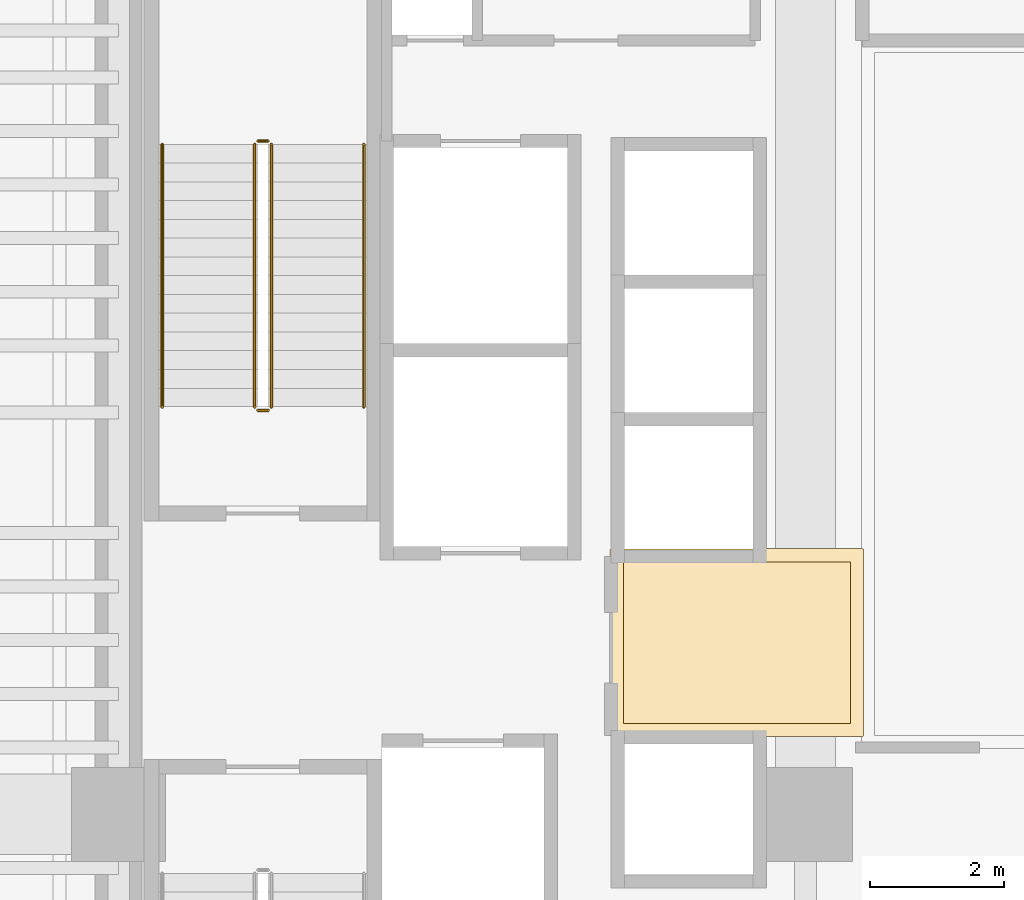
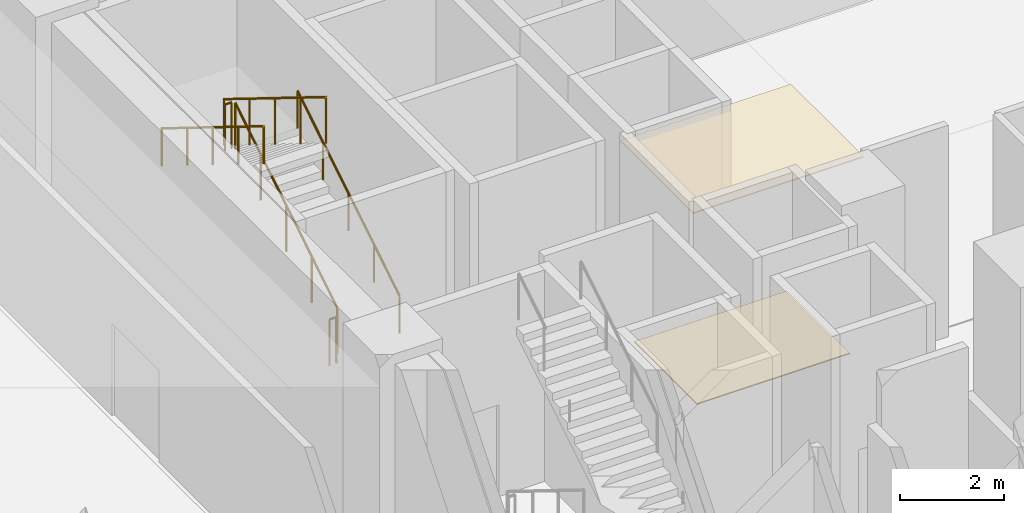
# One storey, part 35 of 41: 6 railings, 2 coverings.
"""IFC4 building model written with IfcOpenShell, lengths in metres."""

import ifcopenshell
import ifcopenshell.guid

model = None  # the IFC model being written
_history = None  # IfcOwnerHistory: only IFC2X3 demands one
_inside = {}  # id of a spatial element -> (the spatial element, [elements in it])
_under = {}  # id of a project, library or spatial element -> (it, [spatial elements below it])
_declared = {}  # id of a project -> (the project, [libraries it declares])
_typed = {}  # id of a type object -> (the type object, [elements of that type])
_made_of = {}  # id of a material, layer set ... -> (it, [elements and type objects made of it])


def new_model(schema):
    """Start an empty IFC model of exactly this schema.

    Asked for "IFC4X3", IfcOpenShell would pick the latest addendum, in which some entities
    have other attributes; the version numbers below select the first issue.
    IFC2X3 requires an IfcOwnerHistory on every rooted entity: one is made here for all.
    """
    global model, _history
    if schema == "IFC4X3":
        model = ifcopenshell.file(schema_version=(4, 3, 0, 0))
    else:
        model = ifcopenshell.file(schema=schema)
    _inside.clear()
    _under.clear()
    _declared.clear()
    _typed.clear()
    _made_of.clear()
    _history = None
    if model.schema == "IFC2X3":
        org = make("IfcOrganization", Name="unknown")
        user = make(
            "IfcPersonAndOrganization",
            ThePerson=make("IfcPerson", FamilyName="unknown"),
            TheOrganization=org,
        )
        app = make(
            "IfcApplication",
            ApplicationDeveloper=org,
            Version="unknown",
            ApplicationFullName="unknown",
            ApplicationIdentifier="unknown",
        )
        _history = make(
            "IfcOwnerHistory",
            OwningUser=user,
            OwningApplication=app,
            ChangeAction="ADDED",
            CreationDate=0,
        )
    return model


def make(cls, **values):
    """One entity of the class cls with the attributes given. An attribute that is None is left unset."""
    return model.create_entity(
        cls, **{name: value for name, value in values.items() if value is not None}
    )


def rooted(cls, **values):
    """An entity with a GlobalId (a new one), such as an element, a storey or a relation."""
    return make(cls, GlobalId=ifcopenshell.guid.new(), OwnerHistory=_history, **values)


def si_unit(unit_type, name, prefix=None):
    """IfcSIUnit, for example si_unit("LENGTHUNIT", "METRE", prefix="MILLI")."""
    return make("IfcSIUnit", UnitType=unit_type, Prefix=prefix, Name=name)


def assignment(units):
    """IfcUnitAssignment: the units of a project."""
    return None if units is None else make("IfcUnitAssignment", Units=units)


def point(xyz):
    """IfcCartesianPoint."""
    return None if xyz is None else make("IfcCartesianPoint", Coordinates=xyz)


def direction(xyz):
    """IfcDirection."""
    return None if xyz is None else make("IfcDirection", DirectionRatios=xyz)


def frame(location, z_axis=None, x_axis=None):
    """IfcAxis2Placement3D, a coordinate frame: its origin and axes. An axis left out is left unset."""
    return make(
        "IfcAxis2Placement3D",
        Location=point(location),
        Axis=direction(z_axis),
        RefDirection=direction(x_axis),
    )


def frame_2d(location, x_axis=None):
    """IfcAxis2Placement2D, a coordinate frame in the plane: its origin and x axis."""
    return make(
        "IfcAxis2Placement2D", Location=point(location), RefDirection=direction(x_axis)
    )


def origin():
    """The frame at (0, 0, 0) with its axes left unset."""
    return frame((0.0, 0.0, 0.0))


def origin_2d():
    """The frame at (0, 0) in the plane with its x axis left unset."""
    return frame_2d((0.0, 0.0))


def place(relative_to, where):
    """IfcLocalPlacement: puts the frame where relative to a parent placement (None: the world)."""
    return make(
        "IfcLocalPlacement", PlacementRelTo=relative_to, RelativePlacement=where
    )


def context(
    kind, dimensions, precision=None, world=None, true_north=None, identifier=None
):
    """IfcGeometricRepresentationContext, for example the 3D "Model" context."""
    return make(
        "IfcGeometricRepresentationContext",
        ContextIdentifier=identifier,
        ContextType=kind,
        CoordinateSpaceDimension=dimensions,
        Precision=precision,
        WorldCoordinateSystem=world,
        TrueNorth=true_north,
    )


def subcontext(parent, identifier, kind, view, scale=None):
    """IfcGeometricRepresentationSubContext, for example "Body" below "Model"."""
    return make(
        "IfcGeometricRepresentationSubContext",
        ContextIdentifier=identifier,
        ContextType=kind,
        ParentContext=parent,
        TargetScale=scale,
        TargetView=view,
    )


def project(units=None, contexts=None):
    """IfcProject with its units and contexts."""
    return rooted(
        "IfcProject",
        Name="project",
        RepresentationContexts=contexts,
        UnitsInContext=assignment(units),
    )


def spatial(cls, under=None, at=None, **own):
    """A site, building, storey or space (cls), placed at a placement, below another one or the project."""
    s = rooted(cls, ObjectPlacement=at, **own)
    if under is not None:
        _under.setdefault(under.id(), (under, []))[1].append(s)
    return s


def polyline(points):
    """IfcPolyline through the points."""
    return make("IfcPolyline", Points=[point(p) for p in points])


def profile(cls, at=None, kind="AREA", **sizes):
    """A parametric profile (cls). Its sizes go by their IFC names, for example OverallWidth=200.0."""
    return make(cls, ProfileType=kind, Position=at, **sizes)


def circle(**sizes):
    """IfcCircleProfileDef."""
    return profile("IfcCircleProfileDef", **sizes)


def outline(outer, holes=None, kind="AREA"):
    """IfcArbitraryClosedProfileDef: a profile drawn as a closed curve; with holes, ...WithVoids."""
    if holes is None:
        return make("IfcArbitraryClosedProfileDef", ProfileType=kind, OuterCurve=outer)
    return make(
        "IfcArbitraryProfileDefWithVoids",
        ProfileType=kind,
        OuterCurve=outer,
        InnerCurves=holes,
    )


def extrude(swept, where, along, depth):
    """IfcExtrudedAreaSolid: the profile swept, set in the frame where, extruded along a direction by depth."""
    return make(
        "IfcExtrudedAreaSolid",
        SweptArea=swept,
        Position=where,
        ExtrudedDirection=direction(along),
        Depth=depth,
    )


def shape(context_of_items, identifier, shape_type, items):
    """IfcShapeRepresentation: the items that make up one representation, for example the "Body"."""
    return make(
        "IfcShapeRepresentation",
        ContextOfItems=context_of_items,
        RepresentationIdentifier=identifier,
        RepresentationType=shape_type,
        Items=items,
    )


def material(Name=None, Category=None):
    """IfcMaterial."""
    return make("IfcMaterial", Name=Name, Category=Category)


def layer(
    of_material, thickness, ventilated=None, Name=None, Category=None, Priority=None
):
    """IfcMaterialLayer: one layer of a wall or slab, of a material (None: an air gap)."""
    return make(
        "IfcMaterialLayer",
        Material=of_material,
        LayerThickness=thickness,
        IsVentilated=ventilated,
        Name=Name,
        Category=Category,
        Priority=Priority,
    )


def layer_set(layers, Name=None):
    """IfcMaterialLayerSet."""
    return make("IfcMaterialLayerSet", MaterialLayers=layers, LayerSetName=Name)


def made_of(thing, what):
    """Note that an element or type object is made of a material, layer set ...; save() writes the relation."""
    if what is not None:
        _made_of.setdefault(what.id(), (what, []))[1].append(thing)
    return thing


def type_object(cls, material=None, **own):
    """A type object (cls), such as IfcWallType, which elements share."""
    return made_of(rooted(cls, **own), material)


def element(
    cls,
    number,
    at=None,
    inside=None,
    cuts=None,
    type_object=None,
    material=None,
    context=None,
    identifier="Body",
    shape_type=None,
    held_by="IfcProductDefinitionShape",
    body=None,
    shapes=None,
    **own,
):
    """One element of the class cls, such as IfcWall. Its Tag is "e" and its number.

    at: its placement. inside: the storey or other place that contains it. cuts: it is an
    opening in that element (IfcRelVoidsElement). A single representation is given by context,
    identifier, shape_type and body (its items); several are given by shapes. held_by: the class
    of the entity that holds the representations. save() writes the other relations.
    """
    e = rooted(cls, Tag="e%d" % number, ObjectPlacement=at, **own)
    if body is not None:
        shapes = [shape(context, identifier, shape_type, body)]
    if shapes is not None:
        e.Representation = make(held_by, Representations=shapes)
    if inside is not None:
        _inside.setdefault(inside.id(), (inside, []))[1].append(e)
    if cuts is not None:
        rooted(
            "IfcRelVoidsElement", RelatingBuildingElement=cuts, RelatedOpeningElement=e
        )
    if type_object is not None:
        _typed.setdefault(type_object.id(), (type_object, []))[1].append(e)
    return made_of(e, material)


def aggregate(whole, parts):
    """IfcRelAggregates: a whole, such as a stair, and the parts it consists of."""
    return rooted("IfcRelAggregates", RelatingObject=whole, RelatedObjects=parts)


def save(model, path):
    """Write the relations noted so far, then the file.

    IfcRelAggregates (storeys below a building ...), IfcRelContainedInSpatialStructure (elements
    in a storey), IfcRelDefinesByType, IfcRelAssociatesMaterial and IfcRelDeclares: one each for
    every whole, place, type object, material and project.
    """
    for whole, parts in _under.values():
        aggregate(whole, parts)
    for where, things in _inside.values():
        rooted(
            "IfcRelContainedInSpatialStructure",
            RelatedElements=things,
            RelatingStructure=where,
        )
    for kind, things in _typed.values():
        rooted("IfcRelDefinesByType", RelatedObjects=things, RelatingType=kind)
    for what, things in _made_of.values():
        rooted("IfcRelAssociatesMaterial", RelatedObjects=things, RelatingMaterial=what)
    for by, libraries in _declared.values():
        rooted("IfcRelDeclares", RelatingContext=by, RelatedDefinitions=libraries)
    model.write(path)


model = new_model("IFC4")

# Units and contexts
model_context = context("Model", 3, precision=1e-05, world=origin(), true_north=direction((0.0, 1.0)))
body_context = subcontext(model_context, "Body", "Model", "MODEL_VIEW")
ifc_project = project(units=[si_unit("LENGTHUNIT", "METRE"), si_unit("AREAUNIT", "SQUARE_METRE"), si_unit("VOLUMEUNIT", "CUBIC_METRE"), si_unit("PLANEANGLEUNIT", "RADIAN"), si_unit("MASSUNIT", "GRAM", prefix="KILO")], contexts=[model_context])

# Site, building, storey
site_placement = place(None, origin())
site = spatial("IfcSite", under=ifc_project, at=site_placement, CompositionType="ELEMENT")
building_placement = place(site_placement, origin())
building = spatial("IfcBuilding", under=site, at=building_placement, Name="Valdorenza Pilgrim Sanctuary Tower", CompositionType="ELEMENT")
storey_placement = place(building_placement, frame((0.0, 0.0, 20.800048828125)))
storey = spatial("IfcBuildingStorey", under=building, at=storey_placement, Name="L04", CompositionType="ELEMENT", Elevation=20.800048828125)

# Coverings
ifc_material_1 = material(Name="Micro-perforated acoustic mineral ceiling tile", Category="gypsum")
ifc_layer_1 = layer(ifc_material_1, 0.02490234375, Name="Micro-perforated acoustic mineral ceiling tile")
ifc_layer_set_1 = layer_set([ifc_layer_1], Name="Micro-perforated acoustic mineral ceiling tile")
covering_type_1 = type_object("IfcCoveringType", Name="COV-CLG-ACU", PredefinedType="CEILING", material=ifc_layer_set_1)
covering_1_placement = place(storey_placement, frame((0.0, 0.0, 4.659912109375)))
element("IfcCovering", 1, at=covering_1_placement, inside=storey, type_object=covering_type_1, Name="L04 Core A Passenger Lift Lobby Acoustic Ceiling", PredefinedType="CEILING", context=body_context, shape_type="SweptSolid", body=[
    extrude(outline(polyline([(-15.31298828125, 1.244384765625), (-15.31298828125, 1.24462890625), (-15.313720703125, 1.24609375), (-15.314208984375, 1.24755859375), (-15.314697265625, 1.2490234375), (-15.31494140625, 1.25048828125), (-15.31494140625, 1.251953125), (-15.31494140625, 1.35009765625), (-15.31494140625, 1.3515625), (-15.314697265625, 1.352783203125), (-15.314453125, 1.3544921875), (-15.31396484375, 1.355712890625), (-15.313232421875, 1.357177734375), (-15.3125, 1.3583984375), (-15.3115234375, 1.359619140625), (-15.310546875, 1.360595703125), (-15.3095703125, 1.361572265625), (-15.308349609375, 1.362548828125), (-15.30712890625, 1.36328125), (-15.3056640625, 1.364013671875), (-15.304443359375, 1.364501953125), (-15.302978515625, 1.36474609375), (-15.301513671875, 1.364990234375), (-15.300048828125, 1.364990234375), (-15.10205078125, 1.364990234375), (-15.1005859375, 1.364990234375), (-15.09912109375, 1.36474609375), (-15.097412109375, 1.3642578125), (-15.09619140625, 1.36376953125), (-15.0947265625, 1.363037109375), (-15.094482421875, 1.363037109375), (-13.185546875, 1.363037109375), (-13.185302734375, 1.363037109375), (-13.183837890625, 1.36376953125), (-13.1826171875, 1.3642578125), (-13.180908203125, 1.36474609375), (-13.179443359375, 1.364990234375), (-13.177978515625, 1.364990234375), (-11.550048828125, 1.364990234375), (-11.548583984375, 1.364990234375), (-11.547119140625, 1.36474609375), (-11.545654296875, 1.364501953125), (-11.544189453125, 1.364013671875), (-11.54296875, 1.36328125), (-11.541748046875, 1.362548828125), (-11.54052734375, 1.361572265625), (-11.539306640625, 1.360595703125), (-11.538330078125, 1.359619140625), (-11.53759765625, 1.3583984375), (-11.536865234375, 1.357177734375), (-11.5361328125, 1.355712890625), (-11.53564453125, 1.3544921875), (-11.535400390625, 1.352783203125), (-11.53515625, 1.3515625), (-11.534912109375, 1.35009765625), (-11.534912109375, -1.419921875), (-11.53515625, -1.42138671875), (-11.535400390625, -1.4228515625), (-11.53564453125, -1.42431640625), (-11.5361328125, -1.42578125), (-11.536865234375, -1.427001953125), (-11.53759765625, -1.42822265625), (-11.538330078125, -1.429443359375), (-11.539306640625, -1.4306640625), (-11.54052734375, -1.431640625), (-11.541748046875, -1.4326171875), (-11.54296875, -1.43310546875), (-11.544189453125, -1.433837890625), (-11.545654296875, -1.434326171875), (-11.547119140625, -1.434814453125), (-11.548583984375, -1.434814453125), (-11.550048828125, -1.43505859375), (-15.298095703125, -1.43505859375), (-15.299560546875, -1.434814453125), (-15.30078125, -1.434814453125), (-15.302490234375, -1.434326171875), (-15.3037109375, -1.433837890625), (-15.30517578125, -1.43310546875), (-15.306396484375, -1.4326171875), (-15.3076171875, -1.431640625), (-15.30859375, -1.4306640625), (-15.3095703125, -1.429443359375), (-15.310546875, -1.42822265625), (-15.311279296875, -1.427001953125), (-15.31201171875, -1.42578125), (-15.3125, -1.42431640625), (-15.312744140625, -1.4228515625), (-15.31298828125, -1.42138671875), (-15.31298828125, -1.419921875), (-15.31298828125, 1.244384765625)])), origin(), (0.0, 0.0, 1.0), 0.025146484375),
])
ifc_material_2 = material(Name="Honed travertine stone flooring", Category="masonry")
ifc_layer_2 = layer(ifc_material_2, 0.030029296875, Name="Honed travertine stone flooring")
ifc_layer_set_2 = layer_set([ifc_layer_2], Name="Honed travertine stone flooring")
covering_type_2 = type_object("IfcCoveringType", Name="COV-FLR-TRV", PredefinedType="FLOORING", material=ifc_layer_set_2)
covering_2_placement = place(storey_placement, origin())
element("IfcCovering", 2, at=covering_2_placement, inside=storey, type_object=covering_type_2, Name="L04 Core A Passenger Lift Lobby Flooring", PredefinedType="FLOORING", context=body_context, shape_type="SweptSolid", body=[
    extrude(outline(polyline([(-15.117919921875, 1.169189453125), (-15.10888671875, 1.168212890625), (-15.10888671875, 1.168212890625), (-15.10009765625, 1.16796875), (-13.179931640625, 1.16796875), (-13.1796875, 1.16796875), (-11.72998046875, 1.169921875), (-11.72998046875, -1.239990234375), (-15.117919921875, -1.239990234375), (-15.117919921875, 1.169189453125)])), origin(), (0.0, 0.0, 1.0), 0.02490234375),
])

# Railings
ifc_material_3 = material(Name="Stainless steel Grade 316", Category="steel")
railing_type_1 = type_object("IfcRailingType", Name="RLG-GRD-1120", PredefinedType="GUARDRAIL", material=ifc_material_3)
railing_1_placement = place(storey_placement, frame((-20.3701171875, 3.47998046875, 0.17333984375)))
element("IfcRailing", 3, at=railing_1_placement, inside=storey, type_object=railing_type_1, Name="L04 ST-A1 stair guard 1", PredefinedType="GUARDRAIL", context=body_context, shape_type="SweptSolid", body=[
    extrude(circle(Radius=0.02392578125, at=origin_2d()), frame((0.0, 0.0, 1.076171875), z_axis=(0.0, 0.850275303828, 0.526338206574), x_axis=(-1.0, 0.0, 0.0)), (0.0, 0.0, 1.0), 4.610107421875),
    extrude(circle(Radius=0.02099609375, at=origin_2d()), origin(), (0.0, 0.0, 1.0), 1.052001953125),
    extrude(circle(Radius=0.02099609375, at=origin_2d()), frame((0.0, 0.97998046875, 0.606689453125)), (0.0, 0.0, 1.0), 1.052001953125),
    extrude(circle(Radius=0.02099609375, at=origin_2d()), frame((0.0, 1.9599609375, 1.21337890625)), (0.0, 0.0, 1.0), 1.052001953125),
    extrude(circle(Radius=0.02099609375, at=origin_2d()), frame((0.0, 2.93994140625, 1.81982421875)), (0.0, 0.0, 1.0), 1.052001953125),
    extrude(circle(Radius=0.02099609375, at=origin_2d()), frame((0.0, 3.919921875, 2.426513671875)), (0.0, 0.0, 1.0), 1.052001953125),
])
railing_2_placement = place(storey_placement, frame((-20.419921875, 7.449951171875, 2.599853515625)))
element("IfcRailing", 4, at=railing_2_placement, inside=storey, type_object=railing_type_1, Name="L04 ST-A1 stair guard 2", PredefinedType="GUARDRAIL", context=body_context, shape_type="SweptSolid", body=[
    extrude(circle(Radius=0.02392578125, at=origin_2d()), frame((0.0, 0.0, 1.076171875), z_axis=(-1.0, 0.0, 0.0), x_axis=(0.0, -1.0, 0.0)), (0.0, 0.0, 1.0), 0.150146484375),
    extrude(circle(Radius=0.02099609375, at=origin_2d()), origin(), (0.0, 0.0, 1.0), 1.052001953125),
    extrude(circle(Radius=0.02099609375, at=origin_2d()), frame((-0.150146484375, 0.0, 0.0)), (0.0, 0.0, 1.0), 1.052001953125),
])
railing_3_placement = place(storey_placement, frame((-20.6201171875, 7.39990234375, 2.773193359375)))
element("IfcRailing", 5, at=railing_3_placement, inside=storey, type_object=railing_type_1, Name="L04 ST-A1 stair guard 3", PredefinedType="GUARDRAIL", context=body_context, shape_type="SweptSolid", body=[
    extrude(circle(Radius=0.02392578125, at=origin_2d()), frame((0.0, 0.0, 1.076171875), z_axis=(0.0, -0.850251603719, 0.526376491091), x_axis=(1.0, 0.0, 0.0)), (0.0, 0.0, 1.0), 4.6103515625),
    extrude(circle(Radius=0.02099609375, at=origin_2d()), origin(), (0.0, 0.0, 1.0), 1.052001953125),
    extrude(circle(Radius=0.02099609375, at=origin_2d()), frame((0.0, -0.97998046875, 0.606689453125)), (0.0, 0.0, 1.0), 1.052001953125),
    extrude(circle(Radius=0.02099609375, at=origin_2d()), frame((0.0, -1.9599609375, 1.21337890625)), (0.0, 0.0, 1.0), 1.052001953125),
    extrude(circle(Radius=0.02099609375, at=origin_2d()), frame((0.0, -2.93994140625, 1.820068359375)), (0.0, 0.0, 1.0), 1.052001953125),
    extrude(circle(Radius=0.02099609375, at=origin_2d()), frame((0.0, -3.919921875, 2.4267578125)), (0.0, 0.0, 1.0), 1.052001953125),
])
railing_4_placement = place(storey_placement, frame((-20.419921875, 3.429931640625, 0.0)))
element("IfcRailing", 6, at=railing_4_placement, inside=storey, type_object=railing_type_1, Name="L04 ST-A1 stair guard 4", PredefinedType="GUARDRAIL", context=body_context, shape_type="SweptSolid", body=[
    extrude(circle(Radius=0.02392578125, at=origin_2d()), frame((0.0, 0.0, 1.076171875), z_axis=(-1.0, 0.0, 0.0), x_axis=(0.0, -1.0, 0.0)), (0.0, 0.0, 1.0), 0.150146484375),
    extrude(circle(Radius=0.02099609375, at=origin_2d()), origin(), (0.0, 0.0, 1.0), 1.052001953125),
    extrude(circle(Radius=0.02099609375, at=origin_2d()), frame((-0.150146484375, 0.0, 0.0)), (0.0, 0.0, 1.0), 1.052001953125),
])
ifc_material_4 = material(Name="Brushed stainless steel Grade 316", Category="steel")
railing_type_2 = type_object("IfcRailingType", Name="RLG-HND-920", PredefinedType="HANDRAIL", material=ifc_material_4)
railing_5_placement = place(storey_placement, frame((-18.989990234375, 3.47998046875, 0.17333984375)))
element("IfcRailing", 7, at=railing_5_placement, inside=storey, type_object=railing_type_2, Name="L04 ST-A1 stair handrail 1", PredefinedType="HANDRAIL", context=body_context, shape_type="SweptSolid", body=[
    extrude(circle(Radius=0.02392578125, at=origin_2d()), frame((0.0, 0.0, 0.8759765625), z_axis=(0.0, 0.850275303828, 0.526338206574), x_axis=(-1.0, 0.0, 0.0)), (0.0, 0.0, 1.0), 4.610107421875),
    extrude(circle(Radius=0.02099609375, at=origin_2d()), origin(), (0.0, 0.0, 1.0), 0.851806640625),
    extrude(circle(Radius=0.02099609375, at=origin_2d()), frame((0.0, 0.97998046875, 0.606689453125)), (0.0, 0.0, 1.0), 0.851806640625),
    extrude(circle(Radius=0.02099609375, at=origin_2d()), frame((0.0, 1.9599609375, 1.21337890625)), (0.0, 0.0, 1.0), 0.851806640625),
    extrude(circle(Radius=0.02099609375, at=origin_2d()), frame((0.0, 2.93994140625, 1.81982421875)), (0.0, 0.0, 1.0), 0.851806640625),
    extrude(circle(Radius=0.02099609375, at=origin_2d()), frame((0.0, 3.919921875, 2.426513671875)), (0.0, 0.0, 1.0), 0.851806640625),
])
railing_6_placement = place(storey_placement, frame((-22.0, 7.39990234375, 2.773193359375)))
element("IfcRailing", 8, at=railing_6_placement, inside=storey, type_object=railing_type_2, Name="L04 ST-A1 stair handrail 2", PredefinedType="HANDRAIL", context=body_context, shape_type="SweptSolid", body=[
    extrude(circle(Radius=0.02392578125, at=origin_2d()), frame((0.0, 0.0, 0.8759765625), z_axis=(0.0, -0.850251603719, 0.526376491091), x_axis=(1.0, 0.0, 0.0)), (0.0, 0.0, 1.0), 4.6103515625),
    extrude(circle(Radius=0.02099609375, at=origin_2d()), origin(), (0.0, 0.0, 1.0), 0.851806640625),
    extrude(circle(Radius=0.02099609375, at=origin_2d()), frame((0.0, -0.97998046875, 0.606689453125)), (0.0, 0.0, 1.0), 0.851806640625),
    extrude(circle(Radius=0.02099609375, at=origin_2d()), frame((0.0, -1.9599609375, 1.21337890625)), (0.0, 0.0, 1.0), 0.851806640625),
    extrude(circle(Radius=0.02099609375, at=origin_2d()), frame((0.0, -2.93994140625, 1.820068359375)), (0.0, 0.0, 1.0), 0.851806640625),
    extrude(circle(Radius=0.02099609375, at=origin_2d()), frame((0.0, -3.919921875, 2.4267578125)), (0.0, 0.0, 1.0), 0.851806640625),
])

save(model, "model.ifc")
